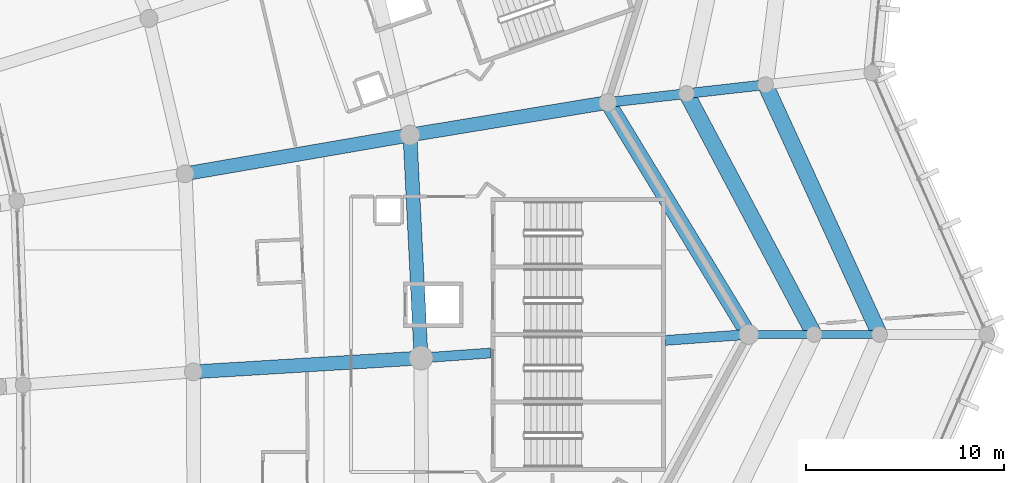
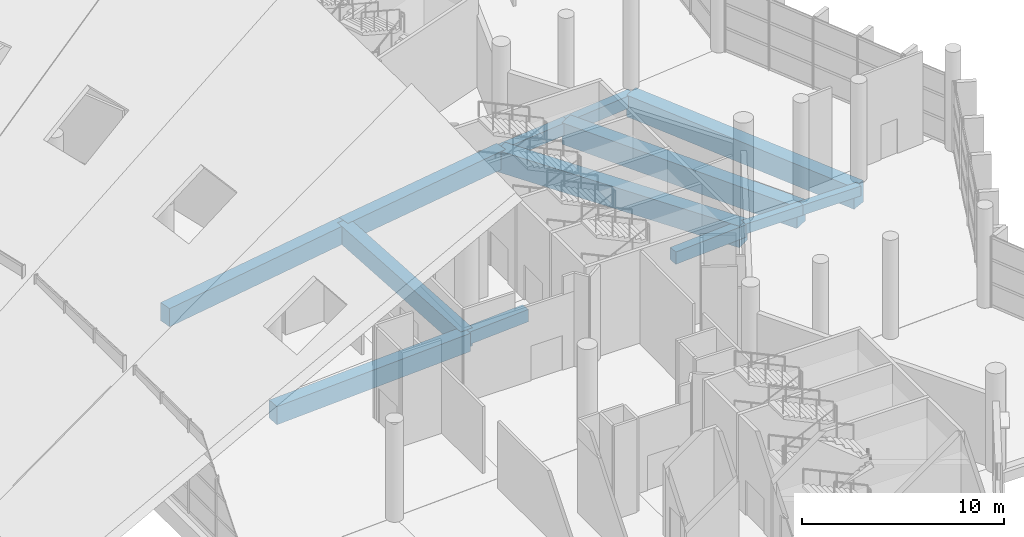
# One storey, part 82 of 249: 13 beams.
"""IFC4 building model written with IfcOpenShell, lengths in metres."""

import ifcopenshell
import ifcopenshell.guid

model = None  # the IFC model being written
_history = None  # IfcOwnerHistory: only IFC2X3 demands one
_inside = {}  # id of a spatial element -> (the spatial element, [elements in it])
_under = {}  # id of a project, library or spatial element -> (it, [spatial elements below it])
_declared = {}  # id of a project -> (the project, [libraries it declares])
_typed = {}  # id of a type object -> (the type object, [elements of that type])
_made_of = {}  # id of a material, layer set ... -> (it, [elements and type objects made of it])


def new_model(schema):
    """Start an empty IFC model of exactly this schema.

    Asked for "IFC4X3", IfcOpenShell would pick the latest addendum, in which some entities
    have other attributes; the version numbers below select the first issue.
    IFC2X3 requires an IfcOwnerHistory on every rooted entity: one is made here for all.
    """
    global model, _history
    if schema == "IFC4X3":
        model = ifcopenshell.file(schema_version=(4, 3, 0, 0))
    else:
        model = ifcopenshell.file(schema=schema)
    _inside.clear()
    _under.clear()
    _declared.clear()
    _typed.clear()
    _made_of.clear()
    _history = None
    if model.schema == "IFC2X3":
        org = make("IfcOrganization", Name="unknown")
        user = make(
            "IfcPersonAndOrganization",
            ThePerson=make("IfcPerson", FamilyName="unknown"),
            TheOrganization=org,
        )
        app = make(
            "IfcApplication",
            ApplicationDeveloper=org,
            Version="unknown",
            ApplicationFullName="unknown",
            ApplicationIdentifier="unknown",
        )
        _history = make(
            "IfcOwnerHistory",
            OwningUser=user,
            OwningApplication=app,
            ChangeAction="ADDED",
            CreationDate=0,
        )
    return model


def make(cls, **values):
    """One entity of the class cls with the attributes given. An attribute that is None is left unset."""
    return model.create_entity(
        cls, **{name: value for name, value in values.items() if value is not None}
    )


def rooted(cls, **values):
    """An entity with a GlobalId (a new one), such as an element, a storey or a relation."""
    return make(cls, GlobalId=ifcopenshell.guid.new(), OwnerHistory=_history, **values)


def si_unit(unit_type, name, prefix=None):
    """IfcSIUnit, for example si_unit("LENGTHUNIT", "METRE", prefix="MILLI")."""
    return make("IfcSIUnit", UnitType=unit_type, Prefix=prefix, Name=name)


def assignment(units):
    """IfcUnitAssignment: the units of a project."""
    return None if units is None else make("IfcUnitAssignment", Units=units)


def point(xyz):
    """IfcCartesianPoint."""
    return None if xyz is None else make("IfcCartesianPoint", Coordinates=xyz)


def direction(xyz):
    """IfcDirection."""
    return None if xyz is None else make("IfcDirection", DirectionRatios=xyz)


def frame(location, z_axis=None, x_axis=None):
    """IfcAxis2Placement3D, a coordinate frame: its origin and axes. An axis left out is left unset."""
    return make(
        "IfcAxis2Placement3D",
        Location=point(location),
        Axis=direction(z_axis),
        RefDirection=direction(x_axis),
    )


def frame_2d(location, x_axis=None):
    """IfcAxis2Placement2D, a coordinate frame in the plane: its origin and x axis."""
    return make(
        "IfcAxis2Placement2D", Location=point(location), RefDirection=direction(x_axis)
    )


def origin():
    """The frame at (0, 0, 0) with its axes left unset."""
    return frame((0.0, 0.0, 0.0))


def origin_2d():
    """The frame at (0, 0) in the plane with its x axis left unset."""
    return frame_2d((0.0, 0.0))


def place(relative_to, where):
    """IfcLocalPlacement: puts the frame where relative to a parent placement (None: the world)."""
    return make(
        "IfcLocalPlacement", PlacementRelTo=relative_to, RelativePlacement=where
    )


def context(
    kind, dimensions, precision=None, world=None, true_north=None, identifier=None
):
    """IfcGeometricRepresentationContext, for example the 3D "Model" context."""
    return make(
        "IfcGeometricRepresentationContext",
        ContextIdentifier=identifier,
        ContextType=kind,
        CoordinateSpaceDimension=dimensions,
        Precision=precision,
        WorldCoordinateSystem=world,
        TrueNorth=true_north,
    )


def subcontext(parent, identifier, kind, view, scale=None):
    """IfcGeometricRepresentationSubContext, for example "Body" below "Model"."""
    return make(
        "IfcGeometricRepresentationSubContext",
        ContextIdentifier=identifier,
        ContextType=kind,
        ParentContext=parent,
        TargetScale=scale,
        TargetView=view,
    )


def project(units=None, contexts=None):
    """IfcProject with its units and contexts."""
    return rooted(
        "IfcProject",
        Name="project",
        RepresentationContexts=contexts,
        UnitsInContext=assignment(units),
    )


def spatial(cls, under=None, at=None, **own):
    """A site, building, storey or space (cls), placed at a placement, below another one or the project."""
    s = rooted(cls, ObjectPlacement=at, **own)
    if under is not None:
        _under.setdefault(under.id(), (under, []))[1].append(s)
    return s


def profile(cls, at=None, kind="AREA", **sizes):
    """A parametric profile (cls). Its sizes go by their IFC names, for example OverallWidth=200.0."""
    return make(cls, ProfileType=kind, Position=at, **sizes)


def rectangle(**sizes):
    """IfcRectangleProfileDef."""
    return profile("IfcRectangleProfileDef", **sizes)


def extrude(swept, where, along, depth):
    """IfcExtrudedAreaSolid: the profile swept, set in the frame where, extruded along a direction by depth."""
    return make(
        "IfcExtrudedAreaSolid",
        SweptArea=swept,
        Position=where,
        ExtrudedDirection=direction(along),
        Depth=depth,
    )


def shape(context_of_items, identifier, shape_type, items):
    """IfcShapeRepresentation: the items that make up one representation, for example the "Body"."""
    return make(
        "IfcShapeRepresentation",
        ContextOfItems=context_of_items,
        RepresentationIdentifier=identifier,
        RepresentationType=shape_type,
        Items=items,
    )


def material(Name=None, Category=None):
    """IfcMaterial."""
    return make("IfcMaterial", Name=Name, Category=Category)


def material_profile(
    of_material, cross_section, Name=None, Category=None, Priority=None
):
    """IfcMaterialProfile: a cross section and its material."""
    return make(
        "IfcMaterialProfile",
        Name=Name,
        Material=of_material,
        Profile=cross_section,
        Priority=Priority,
        Category=Category,
    )


def profile_set(profiles, Name=None, composite=None):
    """IfcMaterialProfileSet."""
    return make(
        "IfcMaterialProfileSet",
        Name=Name,
        MaterialProfiles=profiles,
        CompositeProfile=composite,
    )


def made_of(thing, what):
    """Note that an element or type object is made of a material, layer set ...; save() writes the relation."""
    if what is not None:
        _made_of.setdefault(what.id(), (what, []))[1].append(thing)
    return thing


def type_object(cls, material=None, **own):
    """A type object (cls), such as IfcWallType, which elements share."""
    return made_of(rooted(cls, **own), material)


def element(
    cls,
    number,
    at=None,
    inside=None,
    cuts=None,
    type_object=None,
    material=None,
    context=None,
    identifier="Body",
    shape_type=None,
    held_by="IfcProductDefinitionShape",
    body=None,
    shapes=None,
    **own,
):
    """One element of the class cls, such as IfcWall. Its Tag is "e" and its number.

    at: its placement. inside: the storey or other place that contains it. cuts: it is an
    opening in that element (IfcRelVoidsElement). A single representation is given by context,
    identifier, shape_type and body (its items); several are given by shapes. held_by: the class
    of the entity that holds the representations. save() writes the other relations.
    """
    e = rooted(cls, Tag="e%d" % number, ObjectPlacement=at, **own)
    if body is not None:
        shapes = [shape(context, identifier, shape_type, body)]
    if shapes is not None:
        e.Representation = make(held_by, Representations=shapes)
    if inside is not None:
        _inside.setdefault(inside.id(), (inside, []))[1].append(e)
    if cuts is not None:
        rooted(
            "IfcRelVoidsElement", RelatingBuildingElement=cuts, RelatedOpeningElement=e
        )
    if type_object is not None:
        _typed.setdefault(type_object.id(), (type_object, []))[1].append(e)
    return made_of(e, material)


def aggregate(whole, parts):
    """IfcRelAggregates: a whole, such as a stair, and the parts it consists of."""
    return rooted("IfcRelAggregates", RelatingObject=whole, RelatedObjects=parts)


def save(model, path):
    """Write the relations noted so far, then the file.

    IfcRelAggregates (storeys below a building ...), IfcRelContainedInSpatialStructure (elements
    in a storey), IfcRelDefinesByType, IfcRelAssociatesMaterial and IfcRelDeclares: one each for
    every whole, place, type object, material and project.
    """
    for whole, parts in _under.values():
        aggregate(whole, parts)
    for where, things in _inside.values():
        rooted(
            "IfcRelContainedInSpatialStructure",
            RelatedElements=things,
            RelatingStructure=where,
        )
    for kind, things in _typed.values():
        rooted("IfcRelDefinesByType", RelatedObjects=things, RelatingType=kind)
    for what, things in _made_of.values():
        rooted("IfcRelAssociatesMaterial", RelatedObjects=things, RelatingMaterial=what)
    for by, libraries in _declared.values():
        rooted("IfcRelDeclares", RelatingContext=by, RelatedDefinitions=libraries)
    model.write(path)


model = new_model("IFC4")

# Units and contexts
model_context = context("Model", 3, precision=1e-05, world=origin(), true_north=direction((0.0, 1.0)))
body_context = subcontext(model_context, "Body", "Model", "MODEL_VIEW")
ifc_project = project(units=[si_unit("LENGTHUNIT", "METRE"), si_unit("AREAUNIT", "SQUARE_METRE"), si_unit("VOLUMEUNIT", "CUBIC_METRE"), si_unit("PLANEANGLEUNIT", "RADIAN"), si_unit("MASSUNIT", "GRAM", prefix="KILO")], contexts=[model_context])

# Site, building, storey
site_placement = place(None, origin())
site = spatial("IfcSite", under=ifc_project, at=site_placement, CompositionType="ELEMENT")
building_placement = place(site_placement, origin())
building = spatial("IfcBuilding", under=site, at=building_placement, Name="Meseta Stadium", CompositionType="ELEMENT")
storey_placement = place(building_placement, frame((0.0, 0.0, 12.0)))
storey = spatial("IfcBuildingStorey", under=building, at=storey_placement, Name="L02", CompositionType="ELEMENT", Elevation=12.0)

# Beams
ifc_material_1 = material(Name="Concrete C40/50", Category="concrete")
ifc_material_profile_1 = material_profile(ifc_material_1, rectangle(XDim=0.39990234375, YDim=0.60009765625, at=origin_2d()), Name="RC 400x600")
ifc_profile_set_1 = profile_set([ifc_material_profile_1], Name="Concrete C40/50")
beam_type_1 = type_object("IfcBeamType", Name="RC beam 400x600", PredefinedType="BEAM", material=ifc_profile_set_1)
for number, where, z_axis, x_axis, name in (
    (1, (101.39990234375, 43.75, -0.64990234375), (1.0, 0.0, 0.0), (0.0, 1.0, 0.0), "L02 radial beam frame 8 line R to M"),
    (2, (104.699951171875, 43.75, -0.64990234375), (1.0, 0.0, 0.0), (0.0, 1.0, 0.0), "L02 radial beam frame 8 line M to Q"),
):
    element("IfcBeam", number, at=place(storey_placement, frame(where, z_axis=z_axis, x_axis=x_axis)), inside=storey, type_object=beam_type_1, Name=name, PredefinedType="BEAM", context=body_context, shape_type="SweptSolid", body=[
        extrude(rectangle(XDim=0.39990234375, YDim=0.60009765625, at=origin_2d()), origin(), (0.0, 0.0, 1.0), 3.300048828125),
    ])
ifc_material_2 = material(Name="Concrete C40/50", Category="concrete")
ifc_material_profile_2 = material_profile(ifc_material_2, rectangle(XDim=0.5, YDim=0.75, at=origin_2d()), Name="RC 500x750")
ifc_profile_set_2 = profile_set([ifc_material_profile_2], Name="Concrete C40/50")
beam_type_2 = type_object("IfcBeamType", Name="RC beam 500x750", PredefinedType="BEAM", material=ifc_profile_set_2)
beam_1_placement = place(storey_placement, frame((84.884033203125, 42.5615234375, -0.72509765625), z_axis=(0.997422358581, 0.071754014547, 0.0), x_axis=(-0.071754014547, 0.997422358581, 0.0)))
element("IfcBeam", 3, at=beam_1_placement, inside=storey, type_object=beam_type_2, Name="L02 radial beam frame 8 line P to R", PredefinedType="BEAM", context=body_context, shape_type="SweptSolid", body=[
    extrude(rectangle(XDim=0.5, YDim=0.75, at=origin_2d()), origin(), (0.0, 0.0, 1.0), 3.52490234375),
])
beam_2_placement = place(storey_placement, frame((97.199951171875, 43.44775390625, -0.72509765625), z_axis=(0.997420591967, 0.071778567276, 0.0), x_axis=(-0.071778567276, 0.997420591967, 0.0)))
element("IfcBeam", 4, at=beam_2_placement, inside=storey, type_object=beam_type_2, Name="L02 radial beam frame 8 line P to R", PredefinedType="BEAM", context=body_context, shape_type="SweptSolid", body=[
    extrude(rectangle(XDim=0.5, YDim=0.75, at=origin_2d()), origin(), (0.0, 0.0, 1.0), 4.210693359375),
])
for number, where, z_axis, x_axis, name in (
    (5, (94.29443359375, 55.44140625, -0.72509765625), (0.993708325891, 0.111998942203, 0.0), (-0.111998942203, 0.993708325891, 0.0), "L02 radial beam frame 9 line R to M"),
    (6, (98.269287109375, 55.889404296875, -0.72509765625), (0.993715116939, 0.111938672346, 0.0), (-0.111938672346, 0.993715116939, 0.0), "L02 radial beam frame 9 line M to Q"),
):
    element("IfcBeam", number, at=place(storey_placement, frame(where, z_axis=z_axis, x_axis=x_axis)), inside=storey, type_object=beam_type_2, Name=name, PredefinedType="BEAM", context=body_context, shape_type="SweptSolid", body=[
        extrude(rectangle(XDim=0.5, YDim=0.75, at=origin_2d()), origin(), (0.0, 0.0, 1.0), 4.0),
    ])
ifc_material_3 = material(Name="Concrete C40/50", Category="concrete")
ifc_material_profile_3 = material_profile(ifc_material_3, rectangle(XDim=0.699951171875, YDim=1.10009765625, at=origin_2d()), Name="RC 700x1100")
ifc_profile_set_3 = profile_set([ifc_material_profile_3], Name="Concrete C40/50")
beam_type_3 = type_object("IfcBeamType", Name="RC beam 700x1100", PredefinedType="BEAM", material=ifc_profile_set_3)
beam_3_placement = place(storey_placement, frame((84.884033203125, 42.5615234375, -0.89990234375), z_axis=(-0.049657379323, 0.998766311346, 0.0), x_axis=(-0.998766311346, -0.049657379323, 0.0)))
element("IfcBeam", 7, at=beam_3_placement, inside=storey, type_object=beam_type_3, Name="L02 ring beam frame 8 line P", PredefinedType="BEAM", context=body_context, shape_type="SweptSolid", body=[
    extrude(rectangle(XDim=0.699951171875, YDim=1.10009765625, at=origin_2d()), origin(), (0.0, 0.0, 1.0), 11.25390625),
])
beam_4_placement = place(storey_placement, frame((73.40478515625, 41.8623046875, -0.89990234375), z_axis=(0.998150037989, 0.060798862349, 0.0), x_axis=(-0.060798862349, 0.998150037989, 0.0)))
element("IfcBeam", 8, at=beam_4_placement, inside=storey, type_object=beam_type_3, Name="L02 radial beam frame 8 line E to P", PredefinedType="BEAM", context=body_context, shape_type="SweptSolid", body=[
    extrude(rectangle(XDim=0.699951171875, YDim=1.10009765625, at=origin_2d()), origin(), (0.0, 0.0, 1.0), 11.50048828125),
])
beam_5_placement = place(storey_placement, frame((72.9921875, 51.84716796875, -0.89990234375), z_axis=(0.985454599583, 0.169938907145, 0.0), x_axis=(-0.169938907145, 0.985454599583, 0.0)))
element("IfcBeam", 9, at=beam_5_placement, inside=storey, type_object=beam_type_3, Name="L02 radial beam frame 9 line E to P", PredefinedType="BEAM", context=body_context, shape_type="SweptSolid", body=[
    extrude(rectangle(XDim=0.699951171875, YDim=1.10009765625, at=origin_2d()), origin(), (0.0, 0.0, 1.0), 11.500244140625),
])
beam_6_placement = place(storey_placement, frame((84.3251953125, 53.801513671875, -0.89990234375), z_axis=(0.986739169318, 0.162313929576, 0.0), x_axis=(-0.162313929576, 0.986739169318, 0.0)))
element("IfcBeam", 10, at=beam_6_placement, inside=storey, type_object=beam_type_3, Name="L02 radial beam frame 9 line P to R", PredefinedType="BEAM", context=body_context, shape_type="SweptSolid", body=[
    extrude(rectangle(XDim=0.699951171875, YDim=1.10009765625, at=origin_2d()), origin(), (0.0, 0.0, 1.0), 10.103271484375),
])
ifc_material_4 = material(Name="Concrete C40/50", Category="concrete")
ifc_material_profile_4 = material_profile(ifc_material_4, rectangle(XDim=0.800048828125, YDim=1.300048828125, at=origin_2d()), Name="RC 800x1300")
ifc_profile_set_4 = profile_set([ifc_material_profile_4], Name="Concrete C40/50")
beam_type_4 = type_object("IfcBeamType", Name="RC beam 800x1300", PredefinedType="BEAM", material=ifc_profile_set_4)
beam_7_placement = place(storey_placement, frame((101.39990234375, 43.75, -1.0), z_axis=(-0.519358064651, 0.854556727598, 0.0), x_axis=(-0.854556727598, -0.519358064651, 0.0)))
element("IfcBeam", 11, at=beam_7_placement, inside=storey, type_object=beam_type_4, Name="L02 ring beam frame 8 line R", PredefinedType="BEAM", context=body_context, shape_type="SweptSolid", body=[
    extrude(rectangle(XDim=0.800048828125, YDim=1.300048828125, at=origin_2d()), origin(), (0.0, 0.0, 1.0), 13.68115234375),
])
beam_8_placement = place(storey_placement, frame((104.699951171875, 43.75, -1.0), z_axis=(-0.468110622218, 0.88366987352, 0.0), x_axis=(-0.88366987352, -0.468110622218, 0.0)))
element("IfcBeam", 12, at=beam_8_placement, inside=storey, type_object=beam_type_4, Name="L02 ring beam frame 8 line M", PredefinedType="BEAM", context=body_context, shape_type="SweptSolid", body=[
    extrude(rectangle(XDim=0.800048828125, YDim=1.300048828125, at=origin_2d()), origin(), (0.0, 0.0, 1.0), 13.737548828125),
])
beam_9_placement = place(storey_placement, frame((108.0, 43.75, -1.0), z_axis=(-0.415863139592, 0.909427209363, 0.0), x_axis=(-0.909427209363, -0.415863139592, 0.0)))
element("IfcBeam", 13, at=beam_9_placement, inside=storey, type_object=beam_type_4, Name="L02 ring beam frame 8 line Q", PredefinedType="BEAM", context=body_context, shape_type="SweptSolid", body=[
    extrude(rectangle(XDim=0.800048828125, YDim=1.300048828125, at=origin_2d()), origin(), (0.0, 0.0, 1.0), 13.8408203125),
])

save(model, "model.ifc")
